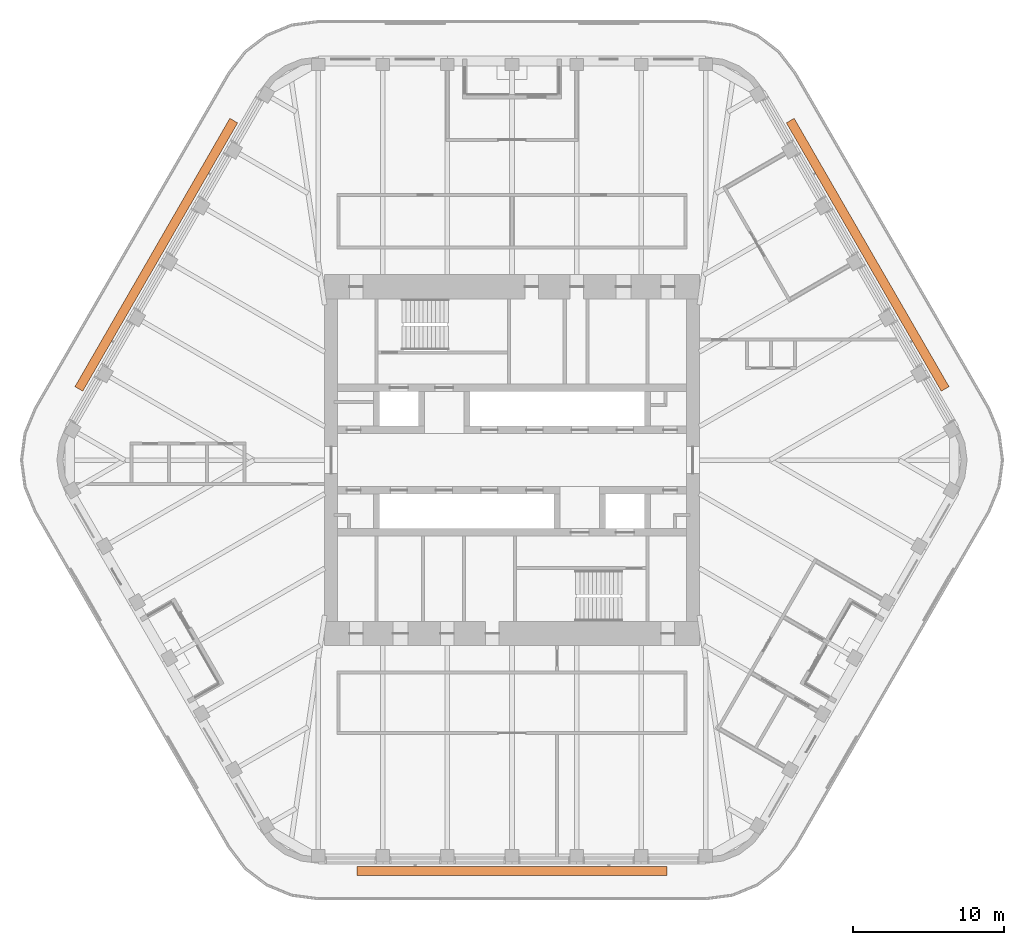
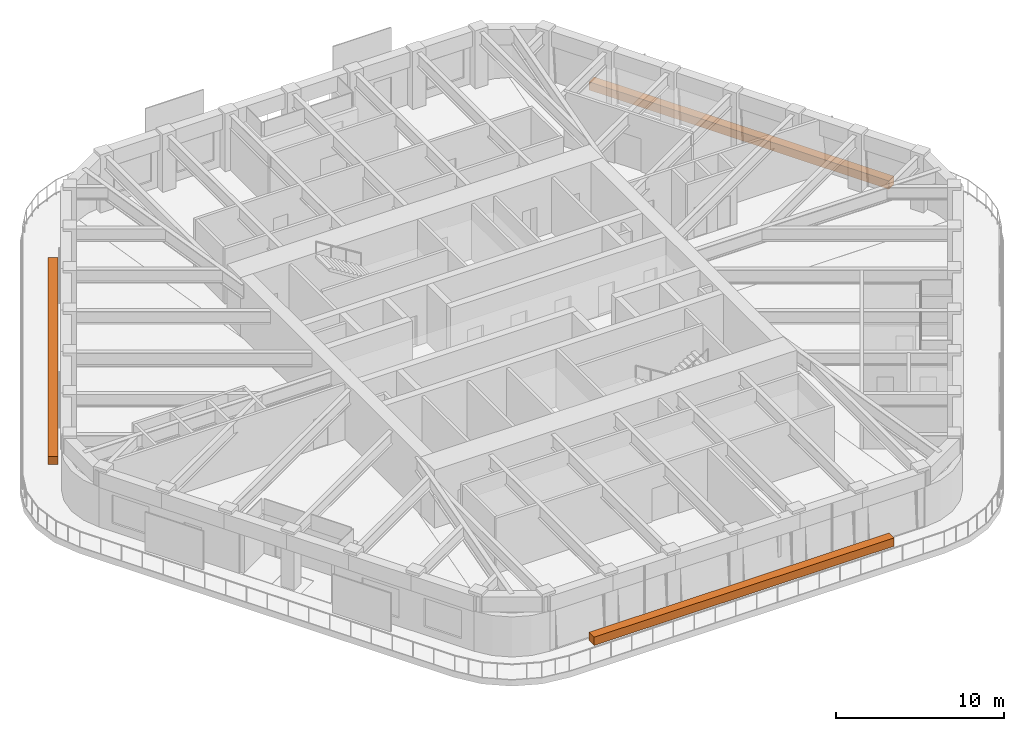
# One storey, part 19 of 19: 3 proxies.
"""IFC4 building model written with IfcOpenShell, lengths in metres."""

from ifc_helpers import new_model, si_unit, direction, frame, origin, origin_2d, place, context, subcontext, project, spatial, rectangle, extrude, material, element, save


model = new_model("IFC4")

# Units and contexts
model_context = context("Model", 3, precision=1e-05, world=origin(), true_north=direction((0.0, 1.0)))
body_context = subcontext(model_context, "Body", "Model", "MODEL_VIEW")
ifc_project = project(units=[si_unit("LENGTHUNIT", "METRE"), si_unit("AREAUNIT", "SQUARE_METRE"), si_unit("VOLUMEUNIT", "CUBIC_METRE"), si_unit("PLANEANGLEUNIT", "RADIAN"), si_unit("MASSUNIT", "GRAM", prefix="KILO")], contexts=[model_context])

# Site, building, storey
site_placement = place(None, origin())
site = spatial("IfcSite", under=ifc_project, at=site_placement, CompositionType="ELEMENT")
building_placement = place(site_placement, origin())
building = spatial("IfcBuilding", under=site, at=building_placement, Name="Tarfa Lantern Tower", CompositionType="ELEMENT")
storey_placement = place(building_placement, frame((0.0, 0.0, 357.699951171875)))
storey = spatial("IfcBuildingStorey", under=building, at=storey_placement, Name="L81", CompositionType="ELEMENT", Elevation=357.699951171875)

# Proxies
ifc_material = material(Name="Planting bed")
for number, where, z_axis, x_axis, name in (
    (1, (23.59912109375, 13.625, 0.0), (0.0, 0.0, 1.0), (-0.5, 0.866025403784, 0.0), "Balcony planter"),
    (2, (-23.59912109375, 13.625, 0.0), (0.0, 0.0, 1.0), (-0.5, -0.866025403784, 0.0), "Balcony planter"),
    (3, (0.0, -27.25, 0.0), (0.0, 0.0, 1.0), (1.0, 0.0, 0.0), "Balcony planter"),
):
    element("IfcBuildingElementProxy", number, at=place(storey_placement, frame(where, z_axis=z_axis, x_axis=x_axis)), inside=storey, material=ifc_material, Name=name, ObjectType="PLANTER", PredefinedType="USERDEFINED", context=body_context, shape_type="SweptSolid", body=[
        extrude(rectangle(XDim=20.5537109375, YDim=0.60009765625, at=origin_2d()), origin(), (0.0, 0.0, 1.0), 0.60009765625),
    ])

save(model, "model.ifc")
